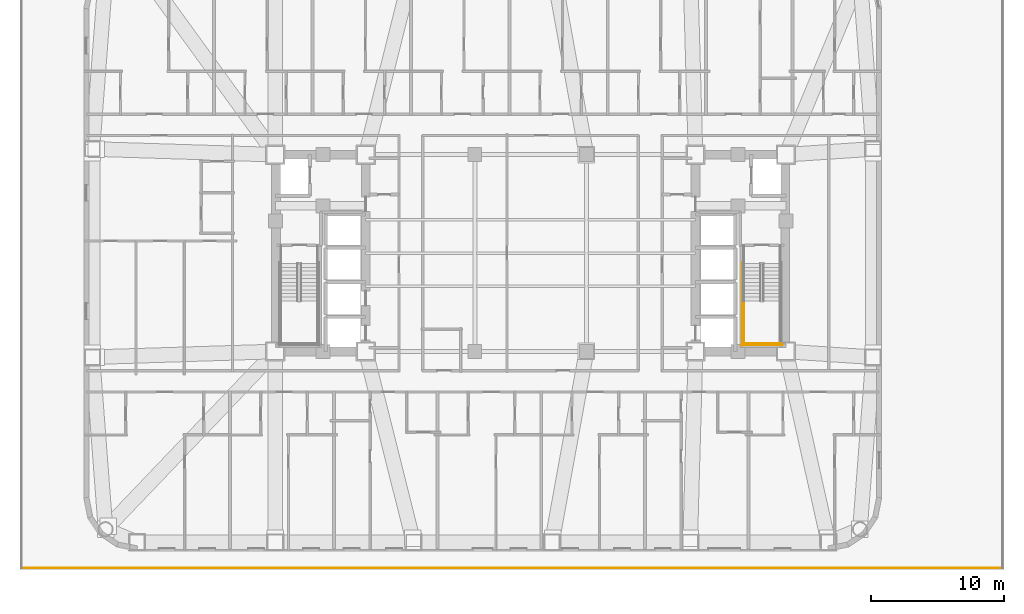
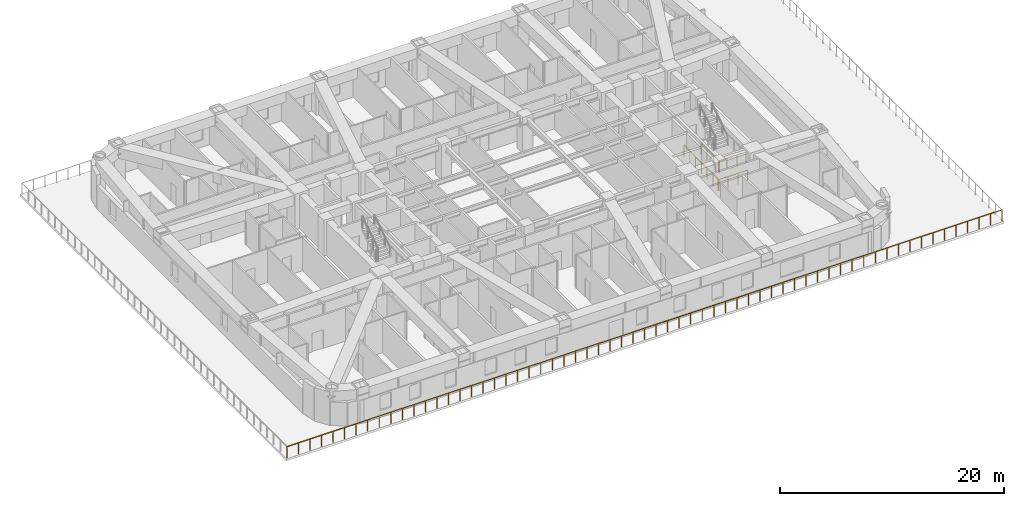
# One storey, part 13 of 15: 5 railings.
"""IFC4 building model written with IfcOpenShell, lengths in metres."""

from ifc_helpers import new_model, si_unit, direction, frame, origin, origin_2d, place, context, subcontext, project, spatial, circle, extrude, material, type_object, element, save


model = new_model("IFC4")

# Units and contexts
model_context = context("Model", 3, precision=1e-05, world=origin(), true_north=direction((0.0, 1.0)))
body_context = subcontext(model_context, "Body", "Model", "MODEL_VIEW")
ifc_project = project(units=[si_unit("LENGTHUNIT", "METRE"), si_unit("AREAUNIT", "SQUARE_METRE"), si_unit("VOLUMEUNIT", "CUBIC_METRE"), si_unit("PLANEANGLEUNIT", "RADIAN"), si_unit("MASSUNIT", "GRAM", prefix="KILO")], contexts=[model_context])

# Site, building, storey
site_placement = place(None, origin())
site = spatial("IfcSite", under=ifc_project, at=site_placement, CompositionType="ELEMENT")
building_placement = place(site_placement, origin())
building = spatial("IfcBuilding", under=site, at=building_placement, Name="Voryun Gate Residences", CompositionType="ELEMENT")
storey_placement = place(building_placement, frame((0.0, 0.0, 26.0)))
storey = spatial("IfcBuildingStorey", under=building, at=storey_placement, Name="L05", CompositionType="ELEMENT", Elevation=26.0)

# Railings
ifc_material_1 = material(Name="Painted steel", Category="steel")
railing_type_1 = type_object("IfcRailingType", Name="RAIL_STAIR_GUARD_1200", PredefinedType="GUARDRAIL", material=ifc_material_1)
railing_1_placement = place(storey_placement, frame((16.02490234375, -3.60009765625, 1.949951171875)))
element("IfcRailing", 1, at=railing_1_placement, inside=storey, type_object=railing_type_1, Name="L05 ST-E1 stair guard 3", PredefinedType="GUARDRAIL", context=body_context, shape_type="SweptSolid", body=[
    extrude(circle(Radius=0.02392578125, at=origin_2d()), frame((0.0, 0.0, 1.17578125), z_axis=(0.0, -1.0, 0.0), x_axis=(1.0, 0.0, 0.0)), (0.0, 0.0, 1.0), 3.25),
    extrude(circle(Radius=0.02099609375, at=origin_2d()), origin(), (0.0, 0.0, 1.0), 1.15185546875),
    extrude(circle(Radius=0.02099609375, at=origin_2d()), frame((0.0, -1.083251953125, 0.0)), (0.0, 0.0, 1.0), 1.15185546875),
    extrude(circle(Radius=0.02099609375, at=origin_2d()), frame((0.0, -2.166748046875, 0.0)), (0.0, 0.0, 1.0), 1.15185546875),
    extrude(circle(Radius=0.02099609375, at=origin_2d()), frame((0.0, -3.25, 0.0)), (0.0, 0.0, 1.0), 1.15185546875),
])
railing_2_placement = place(storey_placement, frame((15.97509765625, -6.800048828125, 1.949951171875)))
element("IfcRailing", 2, at=railing_2_placement, inside=storey, type_object=railing_type_1, Name="L05 ST-E1 stair guard 5", PredefinedType="GUARDRAIL", context=body_context, shape_type="SweptSolid", body=[
    extrude(circle(Radius=0.02392578125, at=origin_2d()), frame((0.0, 0.0, 1.17578125), z_axis=(1.0, 0.0, 0.0), x_axis=(0.0, 1.0, 0.0)), (0.0, 0.0, 1.0), 2.849853515625),
    extrude(circle(Radius=0.02099609375, at=origin_2d()), origin(), (0.0, 0.0, 1.0), 1.15185546875),
    extrude(circle(Radius=0.02099609375, at=origin_2d()), frame((0.949951171875, 0.0, 0.0)), (0.0, 0.0, 1.0), 1.15185546875),
    extrude(circle(Radius=0.02099609375, at=origin_2d()), frame((1.89990234375, 0.0, 0.0)), (0.0, 0.0, 1.0), 1.15185546875),
    extrude(circle(Radius=0.02099609375, at=origin_2d()), frame((2.849853515625, 0.0, 0.0)), (0.0, 0.0, 1.0), 1.15185546875),
])
railing_3_placement = place(storey_placement, frame((15.925048828125, -0.699951171875, 0.0)))
element("IfcRailing", 3, at=railing_3_placement, inside=storey, type_object=railing_type_1, Name="L05 ST-E1 stair guard 10", PredefinedType="GUARDRAIL", context=body_context, shape_type="SweptSolid", body=[
    extrude(circle(Radius=0.02392578125, at=origin_2d()), frame((0.0, 0.0, 1.17578125), z_axis=(0.0, -1.0, 0.0), x_axis=(1.0, 0.0, 0.0)), (0.0, 0.0, 1.0), 6.25),
    extrude(circle(Radius=0.02099609375, at=origin_2d()), origin(), (0.0, 0.0, 1.0), 1.15185546875),
    extrude(circle(Radius=0.02099609375, at=origin_2d()), frame((0.0, -1.041748046875, 0.0)), (0.0, 0.0, 1.0), 1.15185546875),
    extrude(circle(Radius=0.02099609375, at=origin_2d()), frame((0.0, -2.083251953125, 0.0)), (0.0, 0.0, 1.0), 1.15185546875),
    extrude(circle(Radius=0.02099609375, at=origin_2d()), frame((0.0, -3.125, 0.0)), (0.0, 0.0, 1.0), 1.15185546875),
    extrude(circle(Radius=0.02099609375, at=origin_2d()), frame((0.0, -4.166748046875, 0.0)), (0.0, 0.0, 1.0), 1.15185546875),
    extrude(circle(Radius=0.02099609375, at=origin_2d()), frame((0.0, -5.208251953125, 0.0)), (0.0, 0.0, 1.0), 1.15185546875),
    extrude(circle(Radius=0.02099609375, at=origin_2d()), frame((0.0, -6.25, 0.0)), (0.0, 0.0, 1.0), 1.15185546875),
])
railing_4_placement = place(storey_placement, frame((15.875, -6.89990234375, 0.0)))
element("IfcRailing", 4, at=railing_4_placement, inside=storey, type_object=railing_type_1, Name="L05 ST-E1 stair guard 12", PredefinedType="GUARDRAIL", context=body_context, shape_type="SweptSolid", body=[
    extrude(circle(Radius=0.02392578125, at=origin_2d()), frame((0.0, 0.0, 1.17578125), z_axis=(1.0, 0.0, 0.0), x_axis=(0.0, 1.0, 0.0)), (0.0, 0.0, 1.0), 3.050048828125),
    extrude(circle(Radius=0.02099609375, at=origin_2d()), origin(), (0.0, 0.0, 1.0), 1.15185546875),
    extrude(circle(Radius=0.02099609375, at=origin_2d()), frame((1.0166015625, 0.0, 0.0)), (0.0, 0.0, 1.0), 1.15185546875),
    extrude(circle(Radius=0.02099609375, at=origin_2d()), frame((2.033447265625, 0.0, 0.0)), (0.0, 0.0, 1.0), 1.15185546875),
    extrude(circle(Radius=0.02099609375, at=origin_2d()), frame((3.050048828125, 0.0, 0.0)), (0.0, 0.0, 1.0), 1.15185546875),
])
ifc_material_2 = material(Name="Anodised aluminium", Category="aluminium")
railing_type_2 = type_object("IfcRailingType", Name="RAIL_TERRACE_GUARD_1250", PredefinedType="GUARDRAIL", material=ifc_material_2)
railing_5_placement = place(storey_placement, frame((35.47998046875, -23.679931640625, 0.0)))
element("IfcRailing", 5, at=railing_5_placement, inside=storey, type_object=railing_type_2, Name="Terrace guard RL-L05-P1L2-04", PredefinedType="GUARDRAIL", context=body_context, shape_type="SweptSolid", body=[
    extrude(circle(Radius=0.02392578125, at=origin_2d()), frame((0.0, 0.0, 1.22607421875), z_axis=(-1.0, 0.0, 0.0), x_axis=(0.0, -1.0, 0.0)), (0.0, 0.0, 1.0), 73.760009765625),
    extrude(circle(Radius=0.02099609375, at=origin_2d()), origin(), (0.0, 0.0, 1.0), 1.201904296875),
    extrude(circle(Radius=0.02099609375, at=origin_2d()), frame((-1.189697265625, 0.0, 0.0)), (0.0, 0.0, 1.0), 1.201904296875),
    extrude(circle(Radius=0.02099609375, at=origin_2d()), frame((-2.37939453125, 0.0, 0.0)), (0.0, 0.0, 1.0), 1.201904296875),
    extrude(circle(Radius=0.02099609375, at=origin_2d()), frame((-3.569091796875, 0.0, 0.0)), (0.0, 0.0, 1.0), 1.201904296875),
    extrude(circle(Radius=0.02099609375, at=origin_2d()), frame((-4.7587890625, 0.0, 0.0)), (0.0, 0.0, 1.0), 1.201904296875),
    extrude(circle(Radius=0.02099609375, at=origin_2d()), frame((-5.948486328125, 0.0, 0.0)), (0.0, 0.0, 1.0), 1.201904296875),
    extrude(circle(Radius=0.02099609375, at=origin_2d()), frame((-7.13818359375, 0.0, 0.0)), (0.0, 0.0, 1.0), 1.201904296875),
    extrude(circle(Radius=0.02099609375, at=origin_2d()), frame((-8.32763671875, 0.0, 0.0)), (0.0, 0.0, 1.0), 1.201904296875),
    extrude(circle(Radius=0.02099609375, at=origin_2d()), frame((-9.517333984375, 0.0, 0.0)), (0.0, 0.0, 1.0), 1.201904296875),
    extrude(circle(Radius=0.02099609375, at=origin_2d()), frame((-10.70703125, 0.0, 0.0)), (0.0, 0.0, 1.0), 1.201904296875),
    extrude(circle(Radius=0.02099609375, at=origin_2d()), frame((-11.896728515625, 0.0, 0.0)), (0.0, 0.0, 1.0), 1.201904296875),
    extrude(circle(Radius=0.02099609375, at=origin_2d()), frame((-13.08642578125, 0.0, 0.0)), (0.0, 0.0, 1.0), 1.201904296875),
    extrude(circle(Radius=0.02099609375, at=origin_2d()), frame((-14.276123046875, 0.0, 0.0)), (0.0, 0.0, 1.0), 1.201904296875),
    extrude(circle(Radius=0.02099609375, at=origin_2d()), frame((-15.4658203125, 0.0, 0.0)), (0.0, 0.0, 1.0), 1.201904296875),
    extrude(circle(Radius=0.02099609375, at=origin_2d()), frame((-16.655517578125, 0.0, 0.0)), (0.0, 0.0, 1.0), 1.201904296875),
    extrude(circle(Radius=0.02099609375, at=origin_2d()), frame((-17.84521484375, 0.0, 0.0)), (0.0, 0.0, 1.0), 1.201904296875),
    extrude(circle(Radius=0.02099609375, at=origin_2d()), frame((-19.034912109375, 0.0, 0.0)), (0.0, 0.0, 1.0), 1.201904296875),
    extrude(circle(Radius=0.02099609375, at=origin_2d()), frame((-20.224609375, 0.0, 0.0)), (0.0, 0.0, 1.0), 1.201904296875),
    extrude(circle(Radius=0.02099609375, at=origin_2d()), frame((-21.414306640625, 0.0, 0.0)), (0.0, 0.0, 1.0), 1.201904296875),
    extrude(circle(Radius=0.02099609375, at=origin_2d()), frame((-22.603759765625, 0.0, 0.0)), (0.0, 0.0, 1.0), 1.201904296875),
    extrude(circle(Radius=0.02099609375, at=origin_2d()), frame((-23.79345703125, 0.0, 0.0)), (0.0, 0.0, 1.0), 1.201904296875),
    extrude(circle(Radius=0.02099609375, at=origin_2d()), frame((-24.983154296875, 0.0, 0.0)), (0.0, 0.0, 1.0), 1.201904296875),
    extrude(circle(Radius=0.02099609375, at=origin_2d()), frame((-26.1728515625, 0.0, 0.0)), (0.0, 0.0, 1.0), 1.201904296875),
    extrude(circle(Radius=0.02099609375, at=origin_2d()), frame((-27.362548828125, 0.0, 0.0)), (0.0, 0.0, 1.0), 1.201904296875),
    extrude(circle(Radius=0.02099609375, at=origin_2d()), frame((-28.55224609375, 0.0, 0.0)), (0.0, 0.0, 1.0), 1.201904296875),
    extrude(circle(Radius=0.02099609375, at=origin_2d()), frame((-29.741943359375, 0.0, 0.0)), (0.0, 0.0, 1.0), 1.201904296875),
    extrude(circle(Radius=0.02099609375, at=origin_2d()), frame((-30.931640625, 0.0, 0.0)), (0.0, 0.0, 1.0), 1.201904296875),
    extrude(circle(Radius=0.02099609375, at=origin_2d()), frame((-32.121337890625, 0.0, 0.0)), (0.0, 0.0, 1.0), 1.201904296875),
    extrude(circle(Radius=0.02099609375, at=origin_2d()), frame((-33.31103515625, 0.0, 0.0)), (0.0, 0.0, 1.0), 1.201904296875),
    extrude(circle(Radius=0.02099609375, at=origin_2d()), frame((-34.500732421875, 0.0, 0.0)), (0.0, 0.0, 1.0), 1.201904296875),
    extrude(circle(Radius=0.02099609375, at=origin_2d()), frame((-35.6904296875, 0.0, 0.0)), (0.0, 0.0, 1.0), 1.201904296875),
    extrude(circle(Radius=0.02099609375, at=origin_2d()), frame((-36.8798828125, 0.0, 0.0)), (0.0, 0.0, 1.0), 1.201904296875),
    extrude(circle(Radius=0.02099609375, at=origin_2d()), frame((-38.069580078125, 0.0, 0.0)), (0.0, 0.0, 1.0), 1.201904296875),
    extrude(circle(Radius=0.02099609375, at=origin_2d()), frame((-39.25927734375, 0.0, 0.0)), (0.0, 0.0, 1.0), 1.201904296875),
    extrude(circle(Radius=0.02099609375, at=origin_2d()), frame((-40.448974609375, 0.0, 0.0)), (0.0, 0.0, 1.0), 1.201904296875),
    extrude(circle(Radius=0.02099609375, at=origin_2d()), frame((-41.638671875, 0.0, 0.0)), (0.0, 0.0, 1.0), 1.201904296875),
    extrude(circle(Radius=0.02099609375, at=origin_2d()), frame((-42.828369140625, 0.0, 0.0)), (0.0, 0.0, 1.0), 1.201904296875),
    extrude(circle(Radius=0.02099609375, at=origin_2d()), frame((-44.01806640625, 0.0, 0.0)), (0.0, 0.0, 1.0), 1.201904296875),
    extrude(circle(Radius=0.02099609375, at=origin_2d()), frame((-45.207763671875, 0.0, 0.0)), (0.0, 0.0, 1.0), 1.201904296875),
    extrude(circle(Radius=0.02099609375, at=origin_2d()), frame((-46.3974609375, 0.0, 0.0)), (0.0, 0.0, 1.0), 1.201904296875),
    extrude(circle(Radius=0.02099609375, at=origin_2d()), frame((-47.587158203125, 0.0, 0.0)), (0.0, 0.0, 1.0), 1.201904296875),
    extrude(circle(Radius=0.02099609375, at=origin_2d()), frame((-48.77685546875, 0.0, 0.0)), (0.0, 0.0, 1.0), 1.201904296875),
    extrude(circle(Radius=0.02099609375, at=origin_2d()), frame((-49.966552734375, 0.0, 0.0)), (0.0, 0.0, 1.0), 1.201904296875),
    extrude(circle(Radius=0.02099609375, at=origin_2d()), frame((-51.15625, 0.0, 0.0)), (0.0, 0.0, 1.0), 1.201904296875),
    extrude(circle(Radius=0.02099609375, at=origin_2d()), frame((-52.345703125, 0.0, 0.0)), (0.0, 0.0, 1.0), 1.201904296875),
    extrude(circle(Radius=0.02099609375, at=origin_2d()), frame((-53.535400390625, 0.0, 0.0)), (0.0, 0.0, 1.0), 1.201904296875),
    extrude(circle(Radius=0.02099609375, at=origin_2d()), frame((-54.72509765625, 0.0, 0.0)), (0.0, 0.0, 1.0), 1.201904296875),
    extrude(circle(Radius=0.02099609375, at=origin_2d()), frame((-55.914794921875, 0.0, 0.0)), (0.0, 0.0, 1.0), 1.201904296875),
    extrude(circle(Radius=0.02099609375, at=origin_2d()), frame((-57.1044921875, 0.0, 0.0)), (0.0, 0.0, 1.0), 1.201904296875),
    extrude(circle(Radius=0.02099609375, at=origin_2d()), frame((-58.294189453125, 0.0, 0.0)), (0.0, 0.0, 1.0), 1.201904296875),
    extrude(circle(Radius=0.02099609375, at=origin_2d()), frame((-59.48388671875, 0.0, 0.0)), (0.0, 0.0, 1.0), 1.201904296875),
    extrude(circle(Radius=0.02099609375, at=origin_2d()), frame((-60.673583984375, 0.0, 0.0)), (0.0, 0.0, 1.0), 1.201904296875),
    extrude(circle(Radius=0.02099609375, at=origin_2d()), frame((-61.86328125, 0.0, 0.0)), (0.0, 0.0, 1.0), 1.201904296875),
    extrude(circle(Radius=0.02099609375, at=origin_2d()), frame((-63.052978515625, 0.0, 0.0)), (0.0, 0.0, 1.0), 1.201904296875),
    extrude(circle(Radius=0.02099609375, at=origin_2d()), frame((-64.24267578125, 0.0, 0.0)), (0.0, 0.0, 1.0), 1.201904296875),
    extrude(circle(Radius=0.02099609375, at=origin_2d()), frame((-65.432373046875, 0.0, 0.0)), (0.0, 0.0, 1.0), 1.201904296875),
    extrude(circle(Radius=0.02099609375, at=origin_2d()), frame((-66.621826171875, 0.0, 0.0)), (0.0, 0.0, 1.0), 1.201904296875),
    extrude(circle(Radius=0.02099609375, at=origin_2d()), frame((-67.8115234375, 0.0, 0.0)), (0.0, 0.0, 1.0), 1.201904296875),
    extrude(circle(Radius=0.02099609375, at=origin_2d()), frame((-69.001220703125, 0.0, 0.0)), (0.0, 0.0, 1.0), 1.201904296875),
    extrude(circle(Radius=0.02099609375, at=origin_2d()), frame((-70.19091796875, 0.0, 0.0)), (0.0, 0.0, 1.0), 1.201904296875),
    extrude(circle(Radius=0.02099609375, at=origin_2d()), frame((-71.380615234375, 0.0, 0.0)), (0.0, 0.0, 1.0), 1.201904296875),
    extrude(circle(Radius=0.02099609375, at=origin_2d()), frame((-72.5703125, 0.0, 0.0)), (0.0, 0.0, 1.0), 1.201904296875),
    extrude(circle(Radius=0.02099609375, at=origin_2d()), frame((-73.760009765625, 0.0, 0.0)), (0.0, 0.0, 1.0), 1.201904296875),
])

save(model, "model.ifc")
